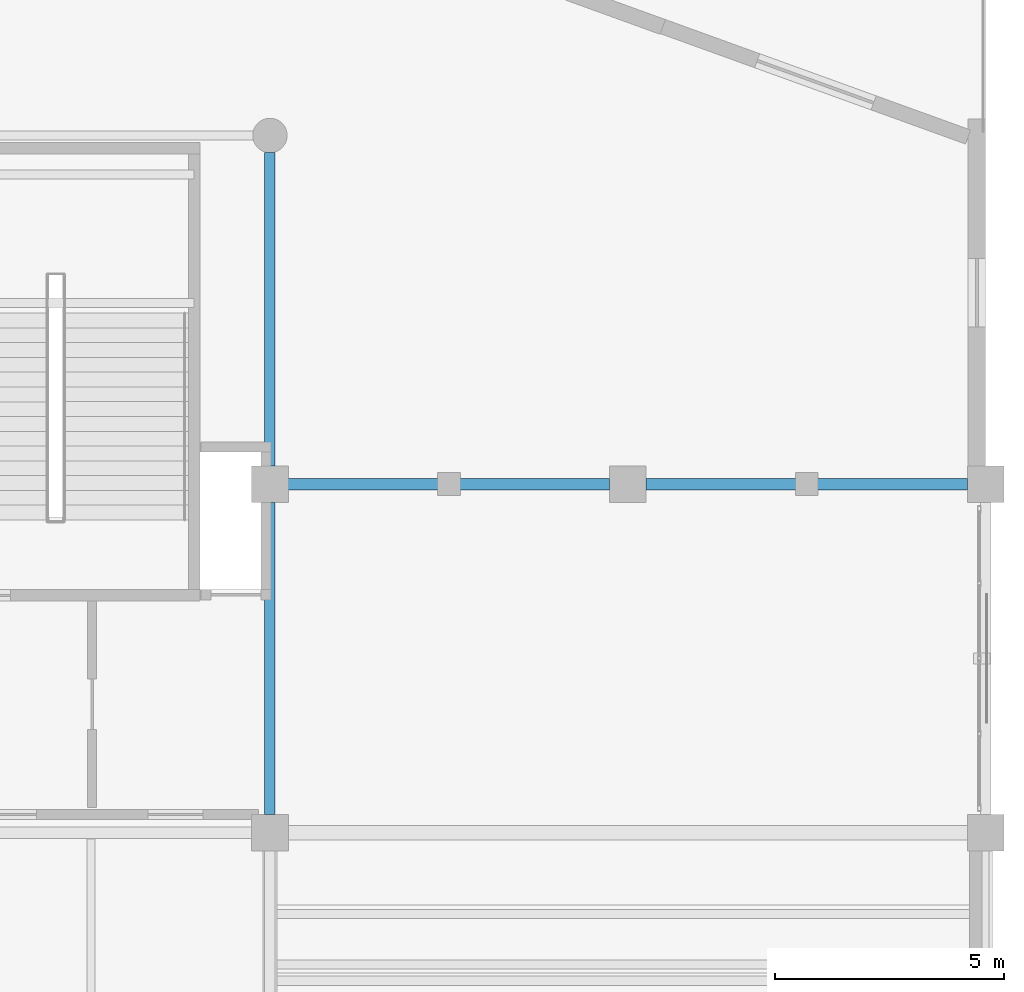
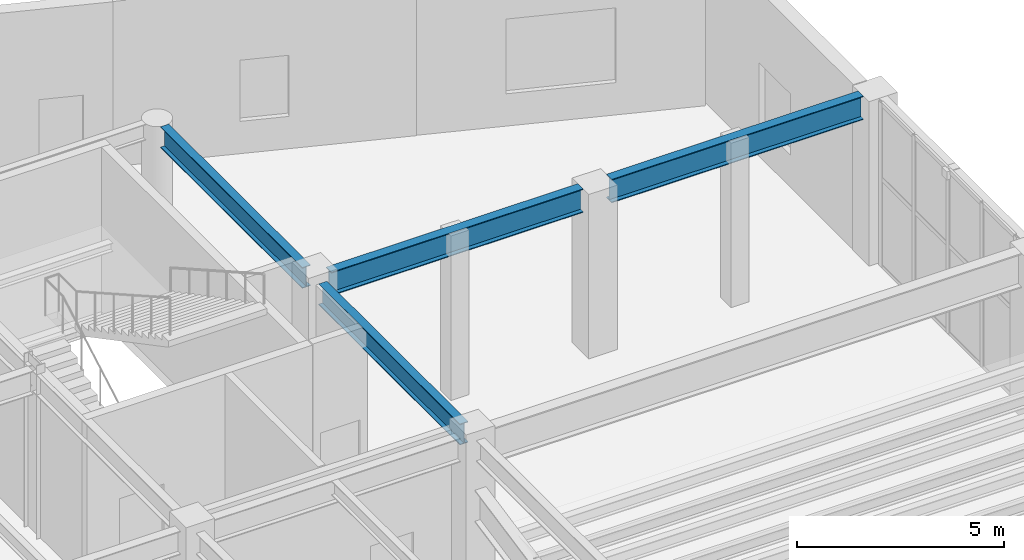
# One storey, part 84 of 128: 4 beams.
"""IFC4 building model written with IfcOpenShell, lengths in metres."""

from ifc_helpers import new_model, si_unit, direction, frame, origin, origin_2d, place, context, subcontext, project, spatial, i_section, extrude, material, material_profile, profile_set, type_object, element, save


model = new_model("IFC4")

# Units and contexts
model_context = context("Model", 3, precision=1e-05, world=origin(), true_north=direction((0.0, 1.0)))
body_context = subcontext(model_context, "Body", "Model", "MODEL_VIEW")
ifc_project = project(units=[si_unit("LENGTHUNIT", "METRE"), si_unit("AREAUNIT", "SQUARE_METRE"), si_unit("VOLUMEUNIT", "CUBIC_METRE"), si_unit("PLANEANGLEUNIT", "RADIAN"), si_unit("MASSUNIT", "GRAM", prefix="KILO")], contexts=[model_context])

# Site, building, storey
site_placement = place(None, origin())
site = spatial("IfcSite", under=ifc_project, at=site_placement, CompositionType="ELEMENT")
building_placement = place(site_placement, origin())
building = spatial("IfcBuilding", under=site, at=building_placement, Name="Xicomal Pleat Aquarium", CompositionType="ELEMENT")
storey_placement = place(building_placement, frame((0.0, 0.0, 5.39990234375)))
storey = spatial("IfcBuildingStorey", under=building, at=storey_placement, Name="L02", CompositionType="ELEMENT", Elevation=5.39990234375)

# Beams
ifc_material_1 = material(Name="Structural steel A992 Gr 50", Category="steel")
ifc_material_profile_1 = material_profile(ifc_material_1, i_section(OverallWidth=0.22998046875, OverallDepth=0.616943359375, WebThickness=0.01318359375, FlangeThickness=0.022216796875, at=origin_2d()), Name="IR 610x140")
ifc_profile_set_1 = profile_set([ifc_material_profile_1], Name="Structural steel A992 Gr 50")
beam_type_1 = type_object("IfcBeamType", Name="BM-STL-IR610", PredefinedType="BEAM", material=ifc_profile_set_1)
beam_1_placement = place(storey_placement, frame((149.39990234375, 15.594970703125, 4.531494140625), z_axis=(0.0, 1.0, 0.0), x_axis=(-1.0, 0.0, 0.0)))
element("IfcBeam", 1, at=beam_1_placement, inside=storey, type_object=beam_type_1, Name="L02 framing beam FGY-L02-19-C-D", PredefinedType="BEAM", context=body_context, shape_type="SweptSolid", body=[
    extrude(i_section(OverallWidth=0.22998046875, OverallDepth=0.616943359375, WebThickness=0.01318359375, FlangeThickness=0.022216796875, at=origin_2d()), origin(), (0.0, 0.0, 1.0), 6.81005859375),
])
beam_2_placement = place(storey_placement, frame((149.39990234375, 23.195068359375, 4.531494140625), z_axis=(0.0, 1.0, 0.0), x_axis=(-1.0, 0.0, 0.0)))
element("IfcBeam", 2, at=beam_2_placement, inside=storey, type_object=beam_type_1, Name="L02 framing beam FGY-L02-19-D-E", PredefinedType="BEAM", context=body_context, shape_type="SweptSolid", body=[
    extrude(i_section(OverallWidth=0.22998046875, OverallDepth=0.616943359375, WebThickness=0.01318359375, FlangeThickness=0.022216796875, at=origin_2d()), origin(), (0.0, 0.0, 1.0), 6.8349609375),
])
ifc_material_2 = material(Name="Structural steel A992 Gr 50", Category="steel")
ifc_material_profile_2 = material_profile(ifc_material_2, i_section(OverallWidth=0.256103515625, OverallDepth=0.693115234375, WebThickness=0.014404296875, FlangeThickness=0.023681640625, at=origin_2d()), Name="IR 690x170")
ifc_profile_set_2 = profile_set([ifc_material_profile_2], Name="Structural steel A992 Gr 50")
beam_type_2 = type_object("IfcBeamType", Name="BM-STL-IR690", PredefinedType="BEAM", material=ifc_profile_set_2)
for number, where, z_axis, x_axis, name in (
    (3, (149.794921875, 22.800048828125, 4.49365234375), (1.0, 0.0, 0.0), (0.0, 1.0, 0.0), "L02 framing beam FGX-L02-19-20-D"),
    (4, (157.594970703125, 22.800048828125, 4.49365234375), (1.0, 0.0, 0.0), (0.0, 1.0, 0.0), "L02 framing beam FGX-L02-20-21-D"),
):
    element("IfcBeam", number, at=place(storey_placement, frame(where, z_axis=z_axis, x_axis=x_axis)), inside=storey, type_object=beam_type_2, Name=name, PredefinedType="BEAM", context=body_context, shape_type="SweptSolid", body=[
        extrude(i_section(OverallWidth=0.256103515625, OverallDepth=0.693115234375, WebThickness=0.014404296875, FlangeThickness=0.023681640625, at=origin_2d()), origin(), (0.0, 0.0, 1.0), 7.010009765625),
    ])

save(model, "model.ifc")
